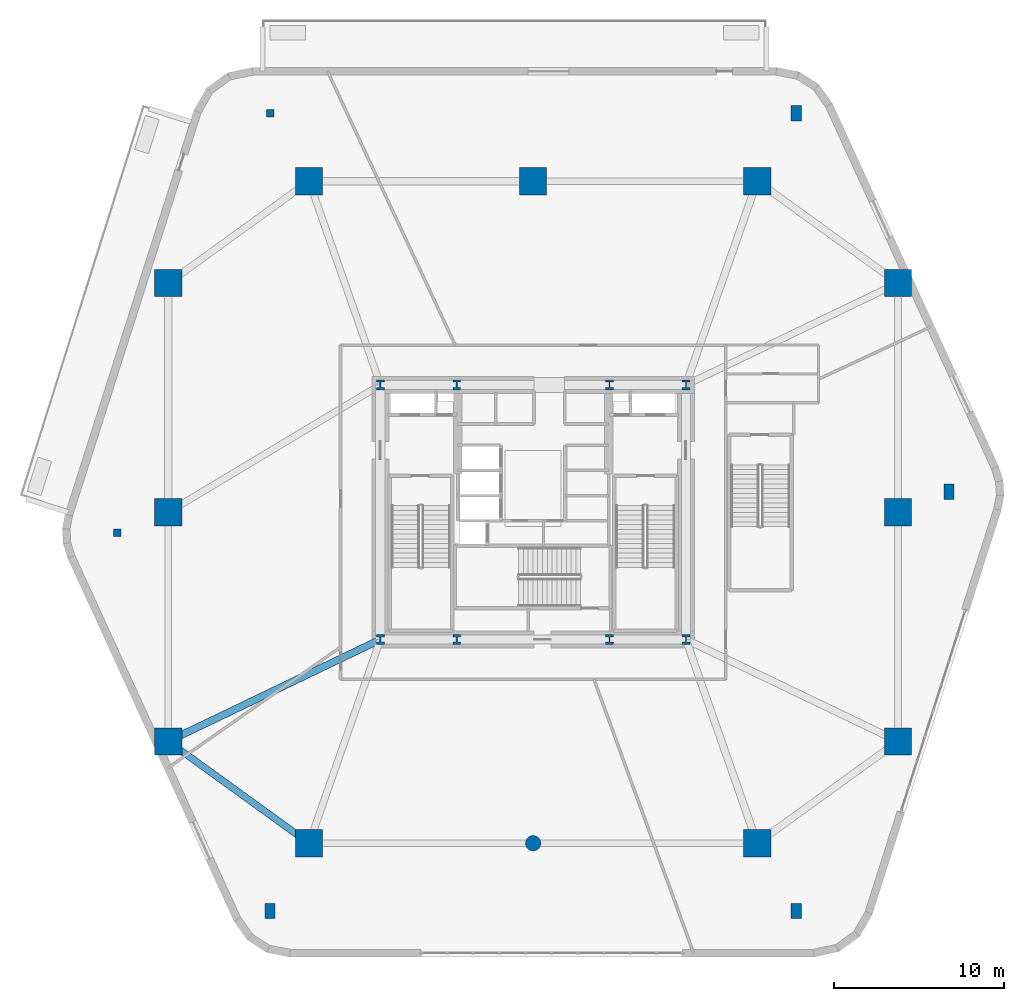
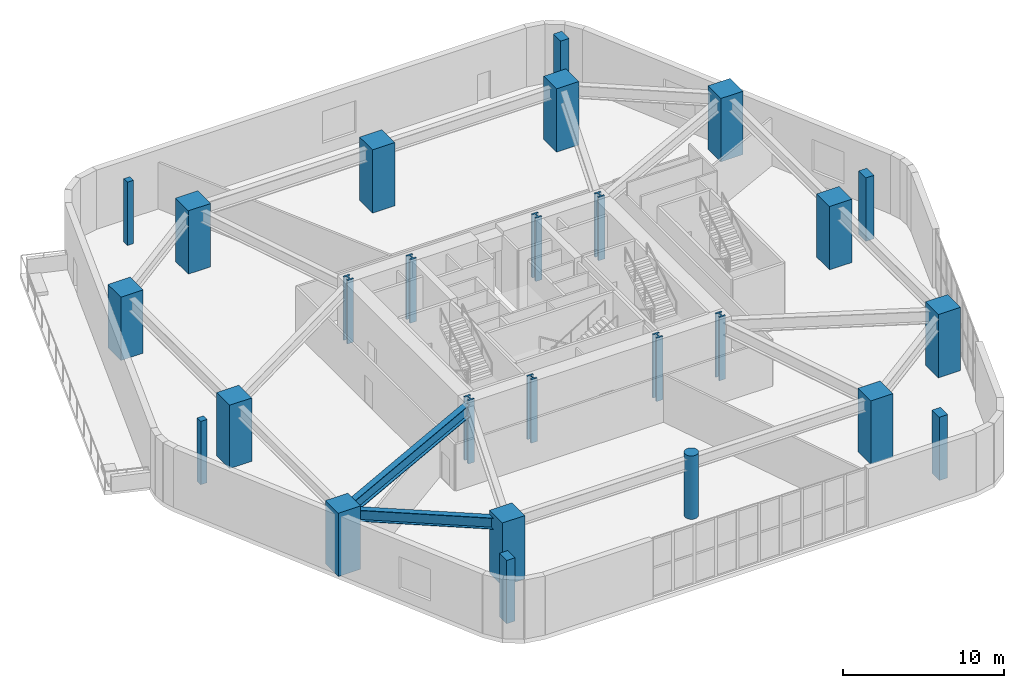
# One storey, part 1 of 15: 26 columns, 2 beams.
"""IFC4 building model written with IfcOpenShell, lengths in metres."""

import ifcopenshell
import ifcopenshell.guid

model = None  # the IFC model being written
_history = None  # IfcOwnerHistory: only IFC2X3 demands one
_inside = {}  # id of a spatial element -> (the spatial element, [elements in it])
_under = {}  # id of a project, library or spatial element -> (it, [spatial elements below it])
_declared = {}  # id of a project -> (the project, [libraries it declares])
_typed = {}  # id of a type object -> (the type object, [elements of that type])
_made_of = {}  # id of a material, layer set ... -> (it, [elements and type objects made of it])


def new_model(schema):
    """Start an empty IFC model of exactly this schema.

    Asked for "IFC4X3", IfcOpenShell would pick the latest addendum, in which some entities
    have other attributes; the version numbers below select the first issue.
    IFC2X3 requires an IfcOwnerHistory on every rooted entity: one is made here for all.
    """
    global model, _history
    if schema == "IFC4X3":
        model = ifcopenshell.file(schema_version=(4, 3, 0, 0))
    else:
        model = ifcopenshell.file(schema=schema)
    _inside.clear()
    _under.clear()
    _declared.clear()
    _typed.clear()
    _made_of.clear()
    _history = None
    if model.schema == "IFC2X3":
        org = make("IfcOrganization", Name="unknown")
        user = make(
            "IfcPersonAndOrganization",
            ThePerson=make("IfcPerson", FamilyName="unknown"),
            TheOrganization=org,
        )
        app = make(
            "IfcApplication",
            ApplicationDeveloper=org,
            Version="unknown",
            ApplicationFullName="unknown",
            ApplicationIdentifier="unknown",
        )
        _history = make(
            "IfcOwnerHistory",
            OwningUser=user,
            OwningApplication=app,
            ChangeAction="ADDED",
            CreationDate=0,
        )
    return model


def make(cls, **values):
    """One entity of the class cls with the attributes given. An attribute that is None is left unset."""
    return model.create_entity(
        cls, **{name: value for name, value in values.items() if value is not None}
    )


def rooted(cls, **values):
    """An entity with a GlobalId (a new one), such as an element, a storey or a relation."""
    return make(cls, GlobalId=ifcopenshell.guid.new(), OwnerHistory=_history, **values)


def si_unit(unit_type, name, prefix=None):
    """IfcSIUnit, for example si_unit("LENGTHUNIT", "METRE", prefix="MILLI")."""
    return make("IfcSIUnit", UnitType=unit_type, Prefix=prefix, Name=name)


def assignment(units):
    """IfcUnitAssignment: the units of a project."""
    return None if units is None else make("IfcUnitAssignment", Units=units)


def point(xyz):
    """IfcCartesianPoint."""
    return None if xyz is None else make("IfcCartesianPoint", Coordinates=xyz)


def direction(xyz):
    """IfcDirection."""
    return None if xyz is None else make("IfcDirection", DirectionRatios=xyz)


def frame(location, z_axis=None, x_axis=None):
    """IfcAxis2Placement3D, a coordinate frame: its origin and axes. An axis left out is left unset."""
    return make(
        "IfcAxis2Placement3D",
        Location=point(location),
        Axis=direction(z_axis),
        RefDirection=direction(x_axis),
    )


def frame_2d(location, x_axis=None):
    """IfcAxis2Placement2D, a coordinate frame in the plane: its origin and x axis."""
    return make(
        "IfcAxis2Placement2D", Location=point(location), RefDirection=direction(x_axis)
    )


def origin():
    """The frame at (0, 0, 0) with its axes left unset."""
    return frame((0.0, 0.0, 0.0))


def origin_2d():
    """The frame at (0, 0) in the plane with its x axis left unset."""
    return frame_2d((0.0, 0.0))


def place(relative_to, where):
    """IfcLocalPlacement: puts the frame where relative to a parent placement (None: the world)."""
    return make(
        "IfcLocalPlacement", PlacementRelTo=relative_to, RelativePlacement=where
    )


def context(
    kind, dimensions, precision=None, world=None, true_north=None, identifier=None
):
    """IfcGeometricRepresentationContext, for example the 3D "Model" context."""
    return make(
        "IfcGeometricRepresentationContext",
        ContextIdentifier=identifier,
        ContextType=kind,
        CoordinateSpaceDimension=dimensions,
        Precision=precision,
        WorldCoordinateSystem=world,
        TrueNorth=true_north,
    )


def subcontext(parent, identifier, kind, view, scale=None):
    """IfcGeometricRepresentationSubContext, for example "Body" below "Model"."""
    return make(
        "IfcGeometricRepresentationSubContext",
        ContextIdentifier=identifier,
        ContextType=kind,
        ParentContext=parent,
        TargetScale=scale,
        TargetView=view,
    )


def project(units=None, contexts=None):
    """IfcProject with its units and contexts."""
    return rooted(
        "IfcProject",
        Name="project",
        RepresentationContexts=contexts,
        UnitsInContext=assignment(units),
    )


def spatial(cls, under=None, at=None, **own):
    """A site, building, storey or space (cls), placed at a placement, below another one or the project."""
    s = rooted(cls, ObjectPlacement=at, **own)
    if under is not None:
        _under.setdefault(under.id(), (under, []))[1].append(s)
    return s


def profile(cls, at=None, kind="AREA", **sizes):
    """A parametric profile (cls). Its sizes go by their IFC names, for example OverallWidth=200.0."""
    return make(cls, ProfileType=kind, Position=at, **sizes)


def rectangle(**sizes):
    """IfcRectangleProfileDef."""
    return profile("IfcRectangleProfileDef", **sizes)


def circle(**sizes):
    """IfcCircleProfileDef."""
    return profile("IfcCircleProfileDef", **sizes)


def i_section(**sizes):
    """IfcIShapeProfileDef."""
    return profile("IfcIShapeProfileDef", **sizes)


def extrude(swept, where, along, depth):
    """IfcExtrudedAreaSolid: the profile swept, set in the frame where, extruded along a direction by depth."""
    return make(
        "IfcExtrudedAreaSolid",
        SweptArea=swept,
        Position=where,
        ExtrudedDirection=direction(along),
        Depth=depth,
    )


def shape(context_of_items, identifier, shape_type, items):
    """IfcShapeRepresentation: the items that make up one representation, for example the "Body"."""
    return make(
        "IfcShapeRepresentation",
        ContextOfItems=context_of_items,
        RepresentationIdentifier=identifier,
        RepresentationType=shape_type,
        Items=items,
    )


def material(Name=None, Category=None):
    """IfcMaterial."""
    return make("IfcMaterial", Name=Name, Category=Category)


def material_profile(
    of_material, cross_section, Name=None, Category=None, Priority=None
):
    """IfcMaterialProfile: a cross section and its material."""
    return make(
        "IfcMaterialProfile",
        Name=Name,
        Material=of_material,
        Profile=cross_section,
        Priority=Priority,
        Category=Category,
    )


def profile_set(profiles, Name=None, composite=None):
    """IfcMaterialProfileSet."""
    return make(
        "IfcMaterialProfileSet",
        Name=Name,
        MaterialProfiles=profiles,
        CompositeProfile=composite,
    )


def made_of(thing, what):
    """Note that an element or type object is made of a material, layer set ...; save() writes the relation."""
    if what is not None:
        _made_of.setdefault(what.id(), (what, []))[1].append(thing)
    return thing


def type_object(cls, material=None, **own):
    """A type object (cls), such as IfcWallType, which elements share."""
    return made_of(rooted(cls, **own), material)


def element(
    cls,
    number,
    at=None,
    inside=None,
    cuts=None,
    type_object=None,
    material=None,
    context=None,
    identifier="Body",
    shape_type=None,
    held_by="IfcProductDefinitionShape",
    body=None,
    shapes=None,
    **own,
):
    """One element of the class cls, such as IfcWall. Its Tag is "e" and its number.

    at: its placement. inside: the storey or other place that contains it. cuts: it is an
    opening in that element (IfcRelVoidsElement). A single representation is given by context,
    identifier, shape_type and body (its items); several are given by shapes. held_by: the class
    of the entity that holds the representations. save() writes the other relations.
    """
    e = rooted(cls, Tag="e%d" % number, ObjectPlacement=at, **own)
    if body is not None:
        shapes = [shape(context, identifier, shape_type, body)]
    if shapes is not None:
        e.Representation = make(held_by, Representations=shapes)
    if inside is not None:
        _inside.setdefault(inside.id(), (inside, []))[1].append(e)
    if cuts is not None:
        rooted(
            "IfcRelVoidsElement", RelatingBuildingElement=cuts, RelatedOpeningElement=e
        )
    if type_object is not None:
        _typed.setdefault(type_object.id(), (type_object, []))[1].append(e)
    return made_of(e, material)


def aggregate(whole, parts):
    """IfcRelAggregates: a whole, such as a stair, and the parts it consists of."""
    return rooted("IfcRelAggregates", RelatingObject=whole, RelatedObjects=parts)


def save(model, path):
    """Write the relations noted so far, then the file.

    IfcRelAggregates (storeys below a building ...), IfcRelContainedInSpatialStructure (elements
    in a storey), IfcRelDefinesByType, IfcRelAssociatesMaterial and IfcRelDeclares: one each for
    every whole, place, type object, material and project.
    """
    for whole, parts in _under.values():
        aggregate(whole, parts)
    for where, things in _inside.values():
        rooted(
            "IfcRelContainedInSpatialStructure",
            RelatedElements=things,
            RelatingStructure=where,
        )
    for kind, things in _typed.values():
        rooted("IfcRelDefinesByType", RelatedObjects=things, RelatingType=kind)
    for what, things in _made_of.values():
        rooted("IfcRelAssociatesMaterial", RelatedObjects=things, RelatingMaterial=what)
    for by, libraries in _declared.values():
        rooted("IfcRelDeclares", RelatingContext=by, RelatedDefinitions=libraries)
    model.write(path)


model = new_model("IFC4")

# Units and contexts
model_context = context("Model", 3, precision=1e-05, world=origin(), true_north=direction((0.0, 1.0)))
body_context = subcontext(model_context, "Body", "Model", "MODEL_VIEW")
ifc_project = project(units=[si_unit("LENGTHUNIT", "METRE"), si_unit("AREAUNIT", "SQUARE_METRE"), si_unit("VOLUMEUNIT", "CUBIC_METRE"), si_unit("PLANEANGLEUNIT", "RADIAN"), si_unit("MASSUNIT", "GRAM", prefix="KILO")], contexts=[model_context])

# Site, building, storey
site_placement = place(None, origin())
site = spatial("IfcSite", under=ifc_project, at=site_placement, CompositionType="ELEMENT")
building_placement = place(site_placement, origin())
building = spatial("IfcBuilding", under=site, at=building_placement, Name="Kilnhurst Terrace Hotel", CompositionType="ELEMENT")
storey_placement = place(building_placement, frame((0.0, 0.0, 23.39990234375)))
storey = spatial("IfcBuildingStorey", under=building, at=storey_placement, Name="L04", CompositionType="ELEMENT", Elevation=23.39990234375)

# Columns
ifc_material_1 = material(Name="Concrete C60/75", Category="concrete")
ifc_material_profile_1 = material_profile(ifc_material_1, circle(Radius=0.449951171875, at=origin_2d()), Name="RCCOL900")
ifc_profile_set_1 = profile_set([ifc_material_profile_1], Name="Concrete C60/75")
column_type_1 = type_object("IfcColumnType", Name="COL-CIR-900", PredefinedType="COLUMN", material=ifc_profile_set_1)
column_placement = place(storey_placement, frame((0.0, -19.5, 0.0), z_axis=(0.0, 0.0, 1.0), x_axis=(1.0, 0.0, 0.0)))
element("IfcColumn", 1, at=column_placement, inside=storey, type_object=column_type_1, Name="L04 Structural Column TC-BALL0", PredefinedType="COLUMN", context=body_context, shape_type="SweptSolid", body=[
    extrude(circle(Radius=0.449951171875, at=origin_2d()), origin(), (0.0, 0.0, 1.0), 4.800048828125),
])
ifc_material_2 = material(Name="Concrete C80/95", Category="concrete")
ifc_material_profile_2 = material_profile(ifc_material_2, rectangle(XDim=1.60009765625, YDim=1.60009765625, at=origin_2d()), Name="RC1600X1600")
ifc_profile_set_2 = profile_set([ifc_material_profile_2], Name="Concrete C80/95")
column_type_2 = type_object("IfcColumnType", Name="COL-RC-1600", PredefinedType="COLUMN", material=ifc_profile_set_2)
for number, where, z_axis, x_axis, name in (
    (2, (-21.5, -13.5, 0.0), (0.0, 0.0, 1.0), (1.0, 0.0, 0.0), "L04 Structural Column MC-W1"),
    (3, (-21.5, 0.0, 0.0), (0.0, 0.0, 1.0), (1.0, 0.0, 0.0), "L04 Structural Column MC-W2"),
    (4, (-21.5, 13.5, 0.0), (0.0, 0.0, 1.0), (1.0, 0.0, 0.0), "L04 Structural Column MC-W3"),
    (5, (21.5, -13.5, 0.0), (0.0, 0.0, 1.0), (1.0, 0.0, 0.0), "L04 Structural Column MC-E1"),
    (6, (21.5, 0.0, 0.0), (0.0, 0.0, 1.0), (1.0, 0.0, 0.0), "L04 Structural Column MC-E2"),
    (7, (21.5, 13.5, 0.0), (0.0, 0.0, 1.0), (1.0, 0.0, 0.0), "L04 Structural Column MC-E3"),
    (8, (-13.199951171875, -19.5, 0.0), (0.0, 0.0, 1.0), (1.0, 0.0, 0.0), "L04 Structural Column MC-S1"),
    (9, (13.199951171875, -19.5, 0.0), (0.0, 0.0, 1.0), (1.0, 0.0, 0.0), "L04 Structural Column MC-S2"),
    (10, (-13.199951171875, 19.5, 0.0), (0.0, 0.0, 1.0), (1.0, 0.0, 0.0), "L04 Structural Column MC-N1"),
    (11, (0.0, 19.5, 0.0), (0.0, 0.0, 1.0), (1.0, 0.0, 0.0), "L04 Structural Column MC-N2"),
    (12, (13.199951171875, 19.5, 0.0), (0.0, 0.0, 1.0), (1.0, 0.0, 0.0), "L04 Structural Column MC-N3"),
):
    element("IfcColumn", number, at=place(storey_placement, frame(where, z_axis=z_axis, x_axis=x_axis)), inside=storey, type_object=column_type_2, Name=name, PredefinedType="COLUMN", context=body_context, shape_type="SweptSolid", body=[
        extrude(rectangle(XDim=1.60009765625, YDim=1.60009765625, at=origin_2d()), origin(), (0.0, 0.0, 1.0), 4.800048828125),
    ])
ifc_material_3 = material(Name="Steel ASTM A992 Grade 50", Category="steel")
ifc_material_profile_3 = material_profile(ifc_material_3, i_section(OverallWidth=0.454345703125, OverallDepth=0.569091796875, WebThickness=0.077880859375, FlangeThickness=0.124755859375, at=origin_2d()), Name="W14X730")
ifc_profile_set_3 = profile_set([ifc_material_profile_3], Name="Steel ASTM A992 Grade 50")
column_type_3 = type_object("IfcColumnType", Name="COL-STL-W14X730", PredefinedType="COLUMN", material=ifc_profile_set_3)
for number, where, z_axis, x_axis, name in (
    (13, (-9.0, -7.5, 0.0), (0.0, 0.0, 1.0), (1.0, 0.0, 0.0), "L04 Structural Column CC-SW"),
    (14, (-4.5, -7.5, 0.0), (0.0, 0.0, 1.0), (1.0, 0.0, 0.0), "L04 Structural Column CC-SC1"),
    (15, (4.5, -7.5, 0.0), (0.0, 0.0, 1.0), (1.0, 0.0, 0.0), "L04 Structural Column CC-SC2"),
    (16, (9.0, -7.5, 0.0), (0.0, 0.0, 1.0), (1.0, 0.0, 0.0), "L04 Structural Column CC-SE"),
    (17, (9.0, 7.5, 0.0), (0.0, 0.0, 1.0), (1.0, 0.0, 0.0), "L04 Structural Column CC-NE"),
    (18, (4.5, 7.5, 0.0), (0.0, 0.0, 1.0), (1.0, 0.0, 0.0), "L04 Structural Column CC-NC2"),
    (19, (-4.5, 7.5, 0.0), (0.0, 0.0, 1.0), (1.0, 0.0, 0.0), "L04 Structural Column CC-NC1"),
    (20, (-9.0, 7.5, 0.0), (0.0, 0.0, 1.0), (1.0, 0.0, 0.0), "L04 Structural Column CC-NW"),
):
    element("IfcColumn", number, at=place(storey_placement, frame(where, z_axis=z_axis, x_axis=x_axis)), inside=storey, type_object=column_type_3, Name=name, PredefinedType="COLUMN", context=body_context, shape_type="SweptSolid", body=[
        extrude(i_section(OverallWidth=0.454345703125, OverallDepth=0.569091796875, WebThickness=0.077880859375, FlangeThickness=0.124755859375, at=origin_2d()), origin(), (0.0, 0.0, 1.0), 4.800048828125),
    ])
ifc_material_4 = material(Name="Concrete C50/60", Category="concrete")
ifc_material_profile_4 = material_profile(ifc_material_4, rectangle(XDim=0.449951171875, YDim=0.449951171875, at=origin_2d()), Name="RC450X450")
ifc_profile_set_4 = profile_set([ifc_material_profile_4], Name="Concrete C50/60")
column_type_4 = type_object("IfcColumnType", Name="PIL-RC-450X450", PredefinedType="PILASTER", material=ifc_profile_set_4)
for number, where, z_axis, x_axis, name in (
    (21, (-15.5, 23.5, 0.0), (0.0, 0.0, 1.0), (1.0, 0.0, 0.0), "L04 Continuous Structural Pilaster PIL5"),
    (22, (-24.5, -1.199951171875, 0.0), (0.0, 0.0, 1.0), (1.0, 0.0, 0.0), "L04 Continuous Structural Pilaster PIL6"),
):
    element("IfcColumn", number, at=place(storey_placement, frame(where, z_axis=z_axis, x_axis=x_axis)), inside=storey, type_object=column_type_4, Name=name, PredefinedType="PILASTER", context=body_context, shape_type="SweptSolid", body=[
        extrude(rectangle(XDim=0.449951171875, YDim=0.449951171875, at=origin_2d()), origin(), (0.0, 0.0, 1.0), 4.800048828125),
    ])
ifc_material_profile_5 = material_profile(ifc_material_1, rectangle(XDim=0.60009765625, YDim=0.89990234375, at=origin_2d()), Name="RC600X900")
ifc_profile_set_5 = profile_set([ifc_material_profile_5], Name="Concrete C60/75")
column_type_5 = type_object("IfcColumnType", Name="PIL-RC-600X900", PredefinedType="PILASTER", material=ifc_profile_set_5)
for number, where, z_axis, x_axis, name in (
    (23, (-15.5, -23.5, 0.0), (0.0, 0.0, 1.0), (1.0, 0.0, 0.0), "L04 Continuous Structural Pilaster PIL1"),
    (24, (15.5, -23.5, 0.0), (0.0, 0.0, 1.0), (1.0, 0.0, 0.0), "L04 Continuous Structural Pilaster PIL2"),
    (25, (24.5, 1.199951171875, 0.0), (0.0, 0.0, 1.0), (1.0, 0.0, 0.0), "L04 Continuous Structural Pilaster PIL3"),
    (26, (15.5, 23.5, 0.0), (0.0, 0.0, 1.0), (1.0, 0.0, 0.0), "L04 Continuous Structural Pilaster PIL4"),
):
    element("IfcColumn", number, at=place(storey_placement, frame(where, z_axis=z_axis, x_axis=x_axis)), inside=storey, type_object=column_type_5, Name=name, PredefinedType="PILASTER", context=body_context, shape_type="SweptSolid", body=[
        extrude(rectangle(XDim=0.60009765625, YDim=0.89990234375, at=origin_2d()), origin(), (0.0, 0.0, 1.0), 4.800048828125),
    ])

# Beams
ifc_material_profile_6 = material_profile(ifc_material_3, i_section(OverallWidth=0.39990234375, OverallDepth=0.85546875, WebThickness=0.018310546875, FlangeThickness=0.029296875, at=origin_2d()), Name="W33X201")
ifc_profile_set_6 = profile_set([ifc_material_profile_6], Name="Steel ASTM A992 Grade 50")
beam_type_1 = type_object("IfcBeamType", Name="BM-STL-W33X201", PredefinedType="BEAM", material=ifc_profile_set_6)
beam_1_placement = place(storey_placement, frame((-21.5, -13.5, 4.052001953125), z_axis=(0.810423314702, -0.585844732833, 0.0), x_axis=(0.585844732833, 0.810423314702, 0.0)))
element("IfcBeam", 27, at=beam_1_placement, inside=storey, type_object=beam_type_1, Name="L04 Podium Frame Beam 17", PredefinedType="BEAM", context=body_context, shape_type="SweptSolid", body=[
    extrude(i_section(OverallWidth=0.39990234375, OverallDepth=0.85546875, WebThickness=0.018310546875, FlangeThickness=0.029296875, at=origin_2d()), origin(), (0.0, 0.0, 1.0), 10.24169921875),
])
ifc_material_profile_7 = material_profile(ifc_material_3, i_section(OverallWidth=0.423095703125, OverallDepth=0.9482421875, WebThickness=0.02392578125, FlangeThickness=0.042724609375, at=origin_2d()), Name="W36X302")
ifc_profile_set_7 = profile_set([ifc_material_profile_7], Name="Steel ASTM A992 Grade 50")
beam_type_2 = type_object("IfcBeamType", Name="BM-STL-W36X302", PredefinedType="BEAM", material=ifc_profile_set_7)
beam_2_placement = place(storey_placement, frame((-21.5, -13.5, 4.006103515625), z_axis=(0.901523057468, 0.432731067585, 0.0), x_axis=(-0.432731067585, 0.901523057468, 0.0)))
element("IfcBeam", 28, at=beam_2_placement, inside=storey, type_object=beam_type_2, Name="L04 Podium Frame Beam 10", PredefinedType="BEAM", context=body_context, shape_type="SweptSolid", body=[
    extrude(i_section(OverallWidth=0.423095703125, OverallDepth=0.9482421875, WebThickness=0.02392578125, FlangeThickness=0.042724609375, at=origin_2d()), origin(), (0.0, 0.0, 1.0), 13.865478515625),
])

save(model, "model.ifc")
